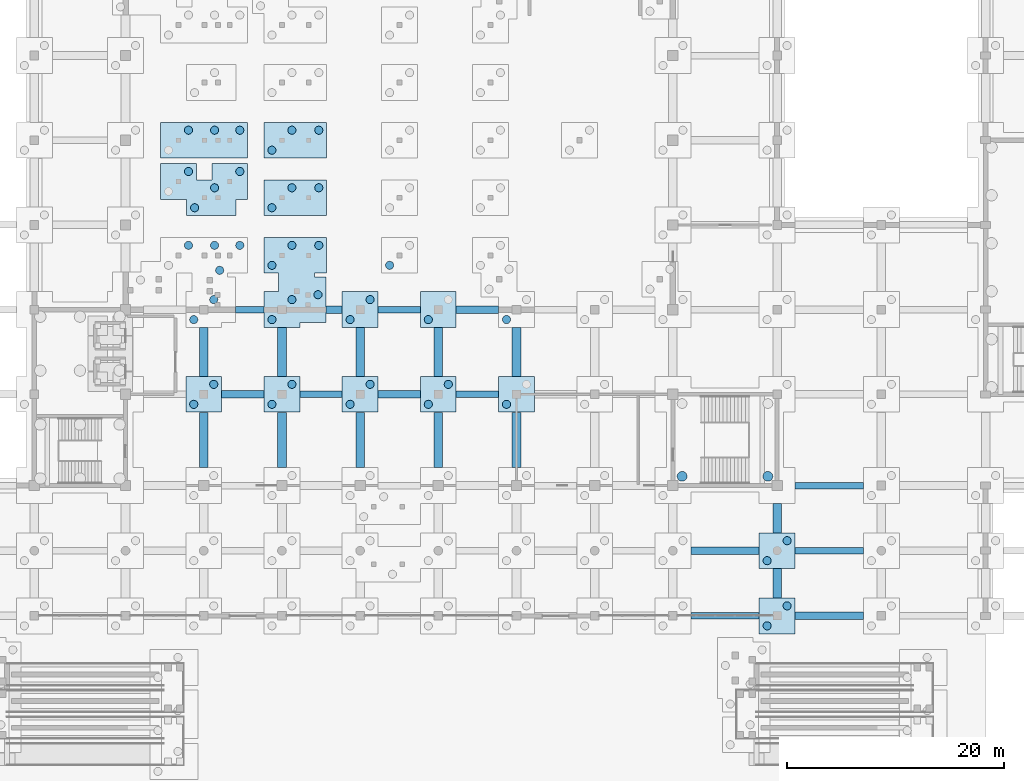
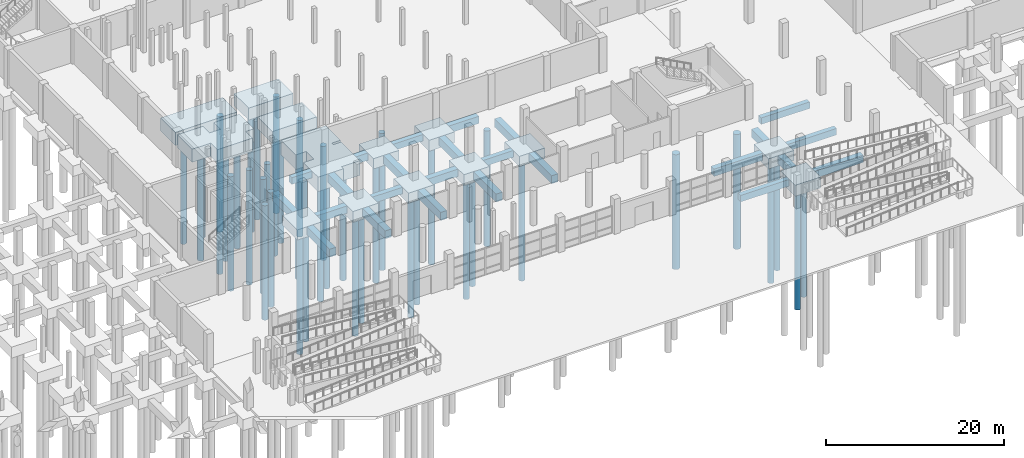
# One storey, part 6 of 42: 45 piles, 39 footings.
"""IFC4 building model written with IfcOpenShell, lengths in metres."""

from ifc_helpers import new_model, si_unit, direction, frame, origin, origin_2d, place, context, subcontext, project, spatial, polyline, rectangle, circle, outline, extrude, material, layer, layer_set, material_profile, profile_set, type_object, element, save


model = new_model("IFC4")

# Units and contexts
model_context = context("Model", 3, precision=1e-05, world=origin(), true_north=direction((0.0, 1.0)))
body_context = subcontext(model_context, "Body", "Model", "MODEL_VIEW")
ifc_project = project(units=[si_unit("LENGTHUNIT", "METRE"), si_unit("AREAUNIT", "SQUARE_METRE"), si_unit("VOLUMEUNIT", "CUBIC_METRE"), si_unit("PLANEANGLEUNIT", "RADIAN"), si_unit("MASSUNIT", "GRAM", prefix="KILO")], contexts=[model_context])

# Site, building, storey
site_placement = place(None, origin())
site = spatial("IfcSite", under=ifc_project, at=site_placement, CompositionType="ELEMENT")
building_placement = place(site_placement, origin())
building = spatial("IfcBuilding", under=site, at=building_placement, Name="Pellamere Symphony Hall", CompositionType="ELEMENT")
storey_placement = place(building_placement, frame((0.0, 0.0, -4.800048828125)))
storey = spatial("IfcBuildingStorey", under=building, at=storey_placement, Name="B1", CompositionType="ELEMENT", Elevation=-4.800048828125)

# Piles
ifc_material_1 = material(Name="Concrete 35 MPa", Category="concrete")
ifc_material_profile_1 = material_profile(ifc_material_1, circle(Radius=0.375, at=origin_2d()), Name="PILE D750")
ifc_profile_set_1 = profile_set([ifc_material_profile_1], Name="Concrete 35 MPa")
pile_type_1 = type_object("IfcPileType", Name="Bored Pile 750mm Concrete 35 MPa", PredefinedType="BORED", material=ifc_profile_set_1)
for number, where, z_axis, x_axis, name in (
    (1, (117.8798828125, 17.080078125, -1.849853515625), (0.0, 0.0, -1.0), (1.0, 0.0, 0.0), "Bored Pile BP-750-P081"),
    (2, (119.719970703125, 18.919921875, -1.849853515625), (0.0, 0.0, -1.0), (1.0, 0.0, 0.0), "Bored Pile BP-750-P082"),
):
    element("IfcPile", number, at=place(storey_placement, frame(where, z_axis=z_axis, x_axis=x_axis)), inside=storey, type_object=pile_type_1, Name=name, PredefinedType="BORED", context=body_context, shape_type="SweptSolid", body=[
        extrude(circle(Radius=0.375, at=origin_2d()), origin(), (0.0, 0.0, 1.0), 16.14990234375),
    ])
for number, where, z_axis, x_axis, name in (
    (3, (117.8798828125, 23.080078125, -1.75), (0.0, 0.0, -1.0), (1.0, 0.0, 0.0), "Bored Pile BP-750-P129"),
    (4, (119.719970703125, 24.919921875, -1.75), (0.0, 0.0, -1.0), (1.0, 0.0, 0.0), "Bored Pile BP-750-P130"),
):
    element("IfcPile", number, at=place(storey_placement, frame(where, z_axis=z_axis, x_axis=x_axis)), inside=storey, type_object=pile_type_1, Name=name, PredefinedType="BORED", context=body_context, shape_type="SweptSolid", body=[
        extrude(circle(Radius=0.375, at=origin_2d()), origin(), (0.0, 0.0, 1.0), 16.25),
    ])
for number, where, z_axis, x_axis, name in (
    (5, (65.080078125, 45.280029296875, -2.300048828125), (0.0, 0.0, -1.0), (1.0, 0.0, 0.0), "Bored Pile BP-750-P172"),
    (6, (66.919921875, 47.1201171875, -2.300048828125), (0.0, 0.0, -1.0), (1.0, 0.0, 0.0), "Bored Pile BP-750-P173"),
    (7, (64.594970703125, 52.1201171875, -2.300048828125), (0.0, 0.0, -1.0), (1.0, 0.0, 0.0), "Bored Pile BP-750-P175"),
    (8, (66.9951171875, 52.1201171875, -2.300048828125), (0.0, 0.0, -1.0), (1.0, 0.0, 0.0), "Bored Pile BP-750-P176"),
    (9, (69.320068359375, 52.1201171875, -2.300048828125), (0.0, 0.0, -1.0), (1.0, 0.0, 0.0), "Bored Pile BP-750-P177"),
    (10, (67.469970703125, 49.820068359375, -2.300048828125), (0.0, 0.0, -1.0), (1.0, 0.0, 0.0), "Bored Pile BP-750-P179"),
):
    element("IfcPile", number, at=place(storey_placement, frame(where, z_axis=z_axis, x_axis=x_axis)), inside=storey, type_object=pile_type_1, Name=name, PredefinedType="BORED", context=body_context, shape_type="SweptSolid", body=[
        extrude(circle(Radius=0.375, at=origin_2d()), origin(), (0.0, 0.0, 1.0), 15.699951171875),
    ])
for number, where, z_axis, x_axis, name in (
    (11, (65.080078125, 37.47998046875, -1.75), (0.0, 0.0, -1.0), (1.0, 0.0, 0.0), "Bored Pile BP-750-P235"),
    (12, (66.919921875, 39.320068359375, -1.75), (0.0, 0.0, -1.0), (1.0, 0.0, 0.0), "Bored Pile BP-750-P236"),
):
    element("IfcPile", number, at=place(storey_placement, frame(where, z_axis=z_axis, x_axis=x_axis)), inside=storey, type_object=pile_type_1, Name=name, PredefinedType="BORED", context=body_context, shape_type="SweptSolid", body=[
        extrude(circle(Radius=0.375, at=origin_2d()), origin(), (0.0, 0.0, 1.0), 16.25),
    ])
for number, where, z_axis, x_axis, name in (
    (13, (72.280029296875, 37.47998046875, -1.849853515625), (0.0, 0.0, -1.0), (1.0, 0.0, 0.0), "Bored Pile BP-750-P237"),
    (14, (74.1201171875, 39.320068359375, -1.849853515625), (0.0, 0.0, -1.0), (1.0, 0.0, 0.0), "Bored Pile BP-750-P238"),
):
    element("IfcPile", number, at=place(storey_placement, frame(where, z_axis=z_axis, x_axis=x_axis)), inside=storey, type_object=pile_type_1, Name=name, PredefinedType="BORED", context=body_context, shape_type="SweptSolid", body=[
        extrude(circle(Radius=0.375, at=origin_2d()), origin(), (0.0, 0.0, 1.0), 16.14990234375),
    ])
for number, where, z_axis, x_axis, name in (
    (15, (79.47998046875, 37.47998046875, -1.75), (0.0, 0.0, -1.0), (1.0, 0.0, 0.0), "Bored Pile BP-750-P239"),
    (16, (81.320068359375, 39.320068359375, -1.75), (0.0, 0.0, -1.0), (1.0, 0.0, 0.0), "Bored Pile BP-750-P240"),
):
    element("IfcPile", number, at=place(storey_placement, frame(where, z_axis=z_axis, x_axis=x_axis)), inside=storey, type_object=pile_type_1, Name=name, PredefinedType="BORED", context=body_context, shape_type="SweptSolid", body=[
        extrude(circle(Radius=0.375, at=origin_2d()), origin(), (0.0, 0.0, 1.0), 16.25),
    ])
for number, where, z_axis, x_axis, name in (
    (17, (86.679931640625, 37.47998046875, -1.849853515625), (0.0, 0.0, -1.0), (1.0, 0.0, 0.0), "Bored Pile BP-750-P241"),
    (18, (88.52001953125, 39.320068359375, -1.849853515625), (0.0, 0.0, -1.0), (1.0, 0.0, 0.0), "Bored Pile BP-750-P242"),
):
    element("IfcPile", number, at=place(storey_placement, frame(where, z_axis=z_axis, x_axis=x_axis)), inside=storey, type_object=pile_type_1, Name=name, PredefinedType="BORED", context=body_context, shape_type="SweptSolid", body=[
        extrude(circle(Radius=0.375, at=origin_2d()), origin(), (0.0, 0.0, 1.0), 16.14990234375),
    ])
pile_1_placement = place(storey_placement, frame((93.8798828125, 37.47998046875, -1.75), z_axis=(0.0, 0.0, -1.0), x_axis=(1.0, 0.0, 0.0)))
element("IfcPile", 19, at=pile_1_placement, inside=storey, type_object=pile_type_1, Name="Bored Pile BP-750-P243", PredefinedType="BORED", context=body_context, shape_type="SweptSolid", body=[
    extrude(circle(Radius=0.375, at=origin_2d()), origin(), (0.0, 0.0, 1.0), 16.25),
])
for number, where, z_axis, x_axis, name in (
    (20, (72.280029296875, 45.280029296875, -2.349853515625), (0.0, 0.0, -1.0), (1.0, 0.0, 0.0), "Bored Pile BP-750-P289"),
    (21, (74.1201171875, 47.1201171875, -2.349853515625), (0.0, 0.0, -1.0), (1.0, 0.0, 0.0), "Bored Pile BP-750-P290"),
    (22, (72.280029296875, 50.280029296875, -2.349853515625), (0.0, 0.0, -1.0), (1.0, 0.0, 0.0), "Bored Pile BP-750-P291"),
    (23, (74.1201171875, 52.1201171875, -2.349853515625), (0.0, 0.0, -1.0), (1.0, 0.0, 0.0), "Bored Pile BP-750-P292"),
    (24, (76.52001953125, 47.570068359375, -2.349853515625), (0.0, 0.0, -1.0), (1.0, 0.0, 0.0), "Bored Pile BP-750-P293"),
    (25, (76.594970703125, 52.1201171875, -2.349853515625), (0.0, 0.0, -1.0), (1.0, 0.0, 0.0), "Bored Pile BP-750-P294"),
):
    element("IfcPile", number, at=place(storey_placement, frame(where, z_axis=z_axis, x_axis=x_axis)), inside=storey, type_object=pile_type_1, Name=name, PredefinedType="BORED", context=body_context, shape_type="SweptSolid", body=[
        extrude(circle(Radius=0.375, at=origin_2d()), origin(), (0.0, 0.0, 1.0), 15.64990234375),
    ])
for number, where, z_axis, x_axis, name in (
    (26, (79.47998046875, 45.280029296875, -1.75), (0.0, 0.0, -1.0), (1.0, 0.0, 0.0), "Bored Pile BP-750-P295"),
    (27, (81.320068359375, 47.1201171875, -1.75), (0.0, 0.0, -1.0), (1.0, 0.0, 0.0), "Bored Pile BP-750-P296"),
):
    element("IfcPile", number, at=place(storey_placement, frame(where, z_axis=z_axis, x_axis=x_axis)), inside=storey, type_object=pile_type_1, Name=name, PredefinedType="BORED", context=body_context, shape_type="SweptSolid", body=[
        extrude(circle(Radius=0.375, at=origin_2d()), origin(), (0.0, 0.0, 1.0), 16.25),
    ])
pile_2_placement = place(storey_placement, frame((86.679931640625, 45.280029296875, -1.849853515625), z_axis=(0.0, 0.0, -1.0), x_axis=(1.0, 0.0, 0.0)))
element("IfcPile", 28, at=pile_2_placement, inside=storey, type_object=pile_type_1, Name="Bored Pile BP-750-P297", PredefinedType="BORED", context=body_context, shape_type="SweptSolid", body=[
    extrude(circle(Radius=0.375, at=origin_2d()), origin(), (0.0, 0.0, 1.0), 16.14990234375),
])
pile_3_placement = place(storey_placement, frame((93.8798828125, 45.280029296875, -2.14990234375), z_axis=(0.0, 0.0, -1.0), x_axis=(1.0, 0.0, 0.0)))
element("IfcPile", 29, at=pile_3_placement, inside=storey, type_object=pile_type_1, Name="Bored Pile BP-750-P299", PredefinedType="BORED", context=body_context, shape_type="SweptSolid", body=[
    extrude(circle(Radius=0.375, at=origin_2d()), origin(), (0.0, 0.0, 1.0), 15.85009765625),
])
pile_4_placement = place(storey_placement, frame((83.116943359375, 50.280029296875, -1.75), z_axis=(0.0, 0.0, -1.0), x_axis=(1.0, 0.0, 0.0)))
element("IfcPile", 30, at=pile_4_placement, inside=storey, type_object=pile_type_1, Name="Bored Pile BP-750-P317", PredefinedType="BORED", context=body_context, shape_type="SweptSolid", body=[
    extrude(circle(Radius=0.375, at=origin_2d()), origin(), (0.0, 0.0, 1.0), 16.25),
])
for number, where, z_axis, x_axis, name in (
    (31, (64.594970703125, 58.919921875, -2.14990234375), (0.0, 0.0, -1.0), (1.0, 0.0, 0.0), "Bored Pile BP-750-P346"),
    (32, (65.155029296875, 55.580078125, -2.14990234375), (0.0, 0.0, -1.0), (1.0, 0.0, 0.0), "Bored Pile BP-750-P347"),
    (33, (66.9951171875, 57.419921875, -2.14990234375), (0.0, 0.0, -1.0), (1.0, 0.0, 0.0), "Bored Pile BP-750-P348"),
    (34, (69.320068359375, 58.919921875, -2.14990234375), (0.0, 0.0, -1.0), (1.0, 0.0, 0.0), "Bored Pile BP-750-P349"),
):
    element("IfcPile", number, at=place(storey_placement, frame(where, z_axis=z_axis, x_axis=x_axis)), inside=storey, type_object=pile_type_1, Name=name, PredefinedType="BORED", context=body_context, shape_type="SweptSolid", body=[
        extrude(circle(Radius=0.375, at=origin_2d()), origin(), (0.0, 0.0, 1.0), 15.85009765625),
    ])
for number, where, z_axis, x_axis, name in (
    (35, (72.280029296875, 55.580078125, -2.0), (0.0, 0.0, -1.0), (1.0, 0.0, 0.0), "Bored Pile BP-750-P350"),
    (36, (74.1201171875, 57.419921875, -2.0), (0.0, 0.0, -1.0), (1.0, 0.0, 0.0), "Bored Pile BP-750-P351"),
    (37, (76.594970703125, 57.419921875, -2.0), (0.0, 0.0, -1.0), (1.0, 0.0, 0.0), "Bored Pile BP-750-P352"),
):
    element("IfcPile", number, at=place(storey_placement, frame(where, z_axis=z_axis, x_axis=x_axis)), inside=storey, type_object=pile_type_1, Name=name, PredefinedType="BORED", context=body_context, shape_type="SweptSolid", body=[
        extrude(circle(Radius=0.375, at=origin_2d()), origin(), (0.0, 0.0, 1.0), 16.0),
    ])
for number, where, z_axis, x_axis, name in (
    (38, (64.594970703125, 62.719970703125, -2.14990234375), (0.0, 0.0, -1.0), (1.0, 0.0, 0.0), "Bored Pile BP-750-P362"),
    (39, (66.9951171875, 62.719970703125, -2.14990234375), (0.0, 0.0, -1.0), (1.0, 0.0, 0.0), "Bored Pile BP-750-P363"),
    (40, (69.320068359375, 62.719970703125, -2.14990234375), (0.0, 0.0, -1.0), (1.0, 0.0, 0.0), "Bored Pile BP-750-P364"),
):
    element("IfcPile", number, at=place(storey_placement, frame(where, z_axis=z_axis, x_axis=x_axis)), inside=storey, type_object=pile_type_1, Name=name, PredefinedType="BORED", context=body_context, shape_type="SweptSolid", body=[
        extrude(circle(Radius=0.375, at=origin_2d()), origin(), (0.0, 0.0, 1.0), 15.85009765625),
    ])
for number, where, z_axis, x_axis, name in (
    (41, (72.280029296875, 60.8798828125, -2.0), (0.0, 0.0, -1.0), (1.0, 0.0, 0.0), "Bored Pile BP-750-P365"),
    (42, (74.1201171875, 62.719970703125, -2.0), (0.0, 0.0, -1.0), (1.0, 0.0, 0.0), "Bored Pile BP-750-P366"),
    (43, (76.594970703125, 62.719970703125, -2.0), (0.0, 0.0, -1.0), (1.0, 0.0, 0.0), "Bored Pile BP-750-P367"),
):
    element("IfcPile", number, at=place(storey_placement, frame(where, z_axis=z_axis, x_axis=x_axis)), inside=storey, type_object=pile_type_1, Name=name, PredefinedType="BORED", context=body_context, shape_type="SweptSolid", body=[
        extrude(circle(Radius=0.375, at=origin_2d()), origin(), (0.0, 0.0, 1.0), 16.0),
    ])
ifc_material_2 = material(Name="Concrete 40 MPa", Category="concrete")
ifc_material_profile_2 = material_profile(ifc_material_2, circle(Radius=0.449951171875, at=origin_2d()), Name="PILE D900")
ifc_profile_set_2 = profile_set([ifc_material_profile_2], Name="Concrete 40 MPa")
pile_type_2 = type_object("IfcPileType", Name="Bored Pile 900mm Concrete 40 MPa", PredefinedType="BORED", material=ifc_profile_set_2)
for number, where, z_axis, x_axis, name in (
    (44, (110.050048828125, 30.85009765625, -2.25), (0.0, 0.0, -1.0), (1.0, 0.0, 0.0), "Bored Pile BP-900-P188"),
    (45, (117.949951171875, 30.85009765625, -2.25), (0.0, 0.0, -1.0), (1.0, 0.0, 0.0), "Bored Pile BP-900-P189"),
):
    element("IfcPile", number, at=place(storey_placement, frame(where, z_axis=z_axis, x_axis=x_axis)), inside=storey, type_object=pile_type_2, Name=name, PredefinedType="BORED", context=body_context, shape_type="SweptSolid", body=[
        extrude(circle(Radius=0.449951171875, at=origin_2d()), origin(), (0.0, 0.0, 1.0), 15.75),
    ])

# Footings
ifc_material_profile_3 = material_profile(ifc_material_2, rectangle(XDim=0.60009765625, YDim=0.89990234375, at=origin_2d()), Name="RC 600x900")
ifc_profile_set_3 = profile_set([ifc_material_profile_3], Name="Concrete 40 MPa")
footing_type_1 = type_object("IfcFootingType", Name="Foundation FB-01 600x900", PredefinedType="FOOTING_BEAM", material=ifc_profile_set_3)
footing_1_placement = place(storey_placement, frame((110.85205078125, 18.0, -0.89990234375), z_axis=(1.0, 0.0, 0.0), x_axis=(0.0, 1.0, 0.0)))
element("IfcFooting", 46, at=footing_1_placement, inside=storey, type_object=footing_type_1, Name="Foundation Beam FB-01-080", PredefinedType="FOOTING_BEAM", context=body_context, shape_type="SweptSolid", body=[
    extrude(rectangle(XDim=0.60009765625, YDim=0.89990234375, at=origin_2d()), origin(), (0.0, 0.0, 1.0), 6.2958984375),
])
for number, where, z_axis, x_axis, name in (
    (47, (120.451904296875, 24.0, -0.89990234375), (1.0, 0.0, 0.0), (0.0, 1.0, 0.0), "Foundation Beam FB-01-098"),
    (48, (120.451904296875, 30.0, -0.89990234375), (1.0, 0.0, 0.0), (0.0, 1.0, 0.0), "Foundation Beam FB-01-114"),
):
    element("IfcFooting", number, at=place(storey_placement, frame(where, z_axis=z_axis, x_axis=x_axis)), inside=storey, type_object=footing_type_1, Name=name, PredefinedType="FOOTING_BEAM", context=body_context, shape_type="SweptSolid", body=[
        extrude(rectangle(XDim=0.60009765625, YDim=0.89990234375, at=origin_2d()), origin(), (0.0, 0.0, 1.0), 6.296142578125),
    ])
for number, where, z_axis, x_axis, name in (
    (49, (74.85205078125, 38.39990234375, -0.89990234375), (1.0, 0.0, 0.0), (0.0, 1.0, 0.0), "Foundation Beam FB-01-128"),
    (50, (89.251953125, 38.39990234375, -0.89990234375), (1.0, 0.0, 0.0), (0.0, 1.0, 0.0), "Foundation Beam FB-01-130"),
):
    element("IfcFooting", number, at=place(storey_placement, frame(where, z_axis=z_axis, x_axis=x_axis)), inside=storey, type_object=footing_type_1, Name=name, PredefinedType="FOOTING_BEAM", context=body_context, shape_type="SweptSolid", body=[
        extrude(rectangle(XDim=0.60009765625, YDim=0.89990234375, at=origin_2d()), origin(), (0.0, 0.0, 1.0), 3.89599609375),
    ])
footing_2_placement = place(storey_placement, frame((68.927001953125, 46.199951171875, -0.89990234375), z_axis=(1.0, 0.0, 0.0), x_axis=(0.0, 1.0, 0.0)))
element("IfcFooting", 51, at=footing_2_placement, inside=storey, type_object=footing_type_1, Name="Foundation Beam FB-01-144", PredefinedType="FOOTING_BEAM", context=body_context, shape_type="SweptSolid", body=[
    extrude(rectangle(XDim=0.60009765625, YDim=0.89990234375, at=origin_2d()), origin(), (0.0, 0.0, 1.0), 2.62109375),
])
footing_3_placement = place(storey_placement, frame((82.052001953125, 46.199951171875, -0.89990234375), z_axis=(1.0, 0.0, 0.0), x_axis=(0.0, 1.0, 0.0)))
element("IfcFooting", 52, at=footing_3_placement, inside=storey, type_object=footing_type_1, Name="Foundation Beam FB-01-146", PredefinedType="FOOTING_BEAM", context=body_context, shape_type="SweptSolid", body=[
    extrude(rectangle(XDim=0.60009765625, YDim=0.89990234375, at=origin_2d()), origin(), (0.0, 0.0, 1.0), 3.89599609375),
])
ifc_material_profile_4 = material_profile(ifc_material_2, rectangle(XDim=0.699951171875, YDim=1.0, at=origin_2d()), Name="RC 700x1000")
ifc_profile_set_4 = profile_set([ifc_material_profile_4], Name="Concrete 40 MPa")
footing_type_2 = type_object("IfcFootingType", Name="Foundation FB-02 700x1000", PredefinedType="FOOTING_BEAM", material=ifc_profile_set_4)
footing_4_placement = place(storey_placement, frame((120.451904296875, 18.0, -0.949951171875), z_axis=(1.0, 0.0, 0.0), x_axis=(0.0, 1.0, 0.0)))
element("IfcFooting", 53, at=footing_4_placement, inside=storey, type_object=footing_type_2, Name="Foundation Beam FB-02-081", PredefinedType="FOOTING_BEAM", context=body_context, shape_type="SweptSolid", body=[
    extrude(rectangle(XDim=0.699951171875, YDim=1.0, at=origin_2d()), origin(), (0.0, 0.0, 1.0), 6.296142578125),
])
footing_5_placement = place(storey_placement, frame((110.85205078125, 24.0, -0.949951171875), z_axis=(1.0, 0.0, 0.0), x_axis=(0.0, 1.0, 0.0)))
element("IfcFooting", 54, at=footing_5_placement, inside=storey, type_object=footing_type_2, Name="Foundation Beam FB-02-097", PredefinedType="FOOTING_BEAM", context=body_context, shape_type="SweptSolid", body=[
    extrude(rectangle(XDim=0.699951171875, YDim=1.0, at=origin_2d()), origin(), (0.0, 0.0, 1.0), 6.2958984375),
])
for number, where, z_axis, x_axis, name in (
    (55, (67.652099609375, 38.39990234375, -0.949951171875), (1.0, 0.0, 0.0), (0.0, 1.0, 0.0), "Foundation Beam FB-02-127"),
    (56, (82.052001953125, 38.39990234375, -0.949951171875), (1.0, 0.0, 0.0), (0.0, 1.0, 0.0), "Foundation Beam FB-02-129"),
):
    element("IfcFooting", number, at=place(storey_placement, frame(where, z_axis=z_axis, x_axis=x_axis)), inside=storey, type_object=footing_type_2, Name=name, PredefinedType="FOOTING_BEAM", context=body_context, shape_type="SweptSolid", body=[
        extrude(rectangle(XDim=0.699951171875, YDim=1.0, at=origin_2d()), origin(), (0.0, 0.0, 1.0), 3.89599609375),
    ])
footing_6_placement = place(storey_placement, frame((77.251953125, 46.199951171875, -0.949951171875), z_axis=(1.0, 0.0, 0.0), x_axis=(0.0, 1.0, 0.0)))
element("IfcFooting", 57, at=footing_6_placement, inside=storey, type_object=footing_type_2, Name="Foundation Beam FB-02-145", PredefinedType="FOOTING_BEAM", context=body_context, shape_type="SweptSolid", body=[
    extrude(rectangle(XDim=0.699951171875, YDim=1.0, at=origin_2d()), origin(), (0.0, 0.0, 1.0), 1.49609375),
])
footing_7_placement = place(storey_placement, frame((89.251953125, 46.199951171875, -0.949951171875), z_axis=(1.0, 0.0, 0.0), x_axis=(0.0, 1.0, 0.0)))
element("IfcFooting", 58, at=footing_7_placement, inside=storey, type_object=footing_type_2, Name="Foundation Beam FB-02-147", PredefinedType="FOOTING_BEAM", context=body_context, shape_type="SweptSolid", body=[
    extrude(rectangle(XDim=0.699951171875, YDim=1.0, at=origin_2d()), origin(), (0.0, 0.0, 1.0), 3.89599609375),
])
ifc_material_profile_5 = material_profile(ifc_material_2, rectangle(XDim=0.800048828125, YDim=1.10009765625, at=origin_2d()), Name="RC 800x1100")
ifc_profile_set_5 = profile_set([ifc_material_profile_5], Name="Concrete 40 MPa")
footing_type_3 = type_object("IfcFootingType", Name="Foundation FB-03 800x1100", PredefinedType="FOOTING_BEAM", material=ifc_profile_set_5)
footing_8_placement = place(storey_placement, frame((66.0, 31.652099609375, -1.0), z_axis=(0.0, 1.0, 0.0), x_axis=(-1.0, 0.0, 0.0)))
element("IfcFooting", 59, at=footing_8_placement, inside=storey, type_object=footing_type_3, Name="Foundation Beam FB-03-284", PredefinedType="FOOTING_BEAM", context=body_context, shape_type="SweptSolid", body=[
    extrude(rectangle(XDim=0.800048828125, YDim=1.10009765625, at=origin_2d()), origin(), (0.0, 0.0, 1.0), 5.095947265625),
])
footing_9_placement = place(storey_placement, frame((66.0, 40.052001953125, -1.0), z_axis=(0.0, 1.0, 0.0), x_axis=(-1.0, 0.0, 0.0)))
element("IfcFooting", 60, at=footing_9_placement, inside=storey, type_object=footing_type_3, Name="Foundation Beam FB-03-285", PredefinedType="FOOTING_BEAM", context=body_context, shape_type="SweptSolid", body=[
    extrude(rectangle(XDim=0.800048828125, YDim=1.10009765625, at=origin_2d()), origin(), (0.0, 0.0, 1.0), 4.49609375),
])
footing_10_placement = place(storey_placement, frame((73.199951171875, 31.652099609375, -1.0), z_axis=(0.0, 1.0, 0.0), x_axis=(-1.0, 0.0, 0.0)))
element("IfcFooting", 61, at=footing_10_placement, inside=storey, type_object=footing_type_3, Name="Foundation Beam FB-03-290", PredefinedType="FOOTING_BEAM", context=body_context, shape_type="SweptSolid", body=[
    extrude(rectangle(XDim=0.800048828125, YDim=1.10009765625, at=origin_2d()), origin(), (0.0, 0.0, 1.0), 5.095947265625),
])
footing_11_placement = place(storey_placement, frame((73.199951171875, 40.052001953125, -1.0), z_axis=(0.0, 1.0, 0.0), x_axis=(-1.0, 0.0, 0.0)))
element("IfcFooting", 62, at=footing_11_placement, inside=storey, type_object=footing_type_3, Name="Foundation Beam FB-03-291", PredefinedType="FOOTING_BEAM", context=body_context, shape_type="SweptSolid", body=[
    extrude(rectangle(XDim=0.800048828125, YDim=1.10009765625, at=origin_2d()), origin(), (0.0, 0.0, 1.0), 4.49609375),
])
footing_12_placement = place(storey_placement, frame((80.39990234375, 31.652099609375, -1.0), z_axis=(0.0, 1.0, 0.0), x_axis=(-1.0, 0.0, 0.0)))
element("IfcFooting", 63, at=footing_12_placement, inside=storey, type_object=footing_type_3, Name="Foundation Beam FB-03-296", PredefinedType="FOOTING_BEAM", context=body_context, shape_type="SweptSolid", body=[
    extrude(rectangle(XDim=0.800048828125, YDim=1.10009765625, at=origin_2d()), origin(), (0.0, 0.0, 1.0), 5.095947265625),
])
footing_13_placement = place(storey_placement, frame((80.39990234375, 40.052001953125, -1.0), z_axis=(0.0, 1.0, 0.0), x_axis=(-1.0, 0.0, 0.0)))
element("IfcFooting", 64, at=footing_13_placement, inside=storey, type_object=footing_type_3, Name="Foundation Beam FB-03-297", PredefinedType="FOOTING_BEAM", context=body_context, shape_type="SweptSolid", body=[
    extrude(rectangle(XDim=0.800048828125, YDim=1.10009765625, at=origin_2d()), origin(), (0.0, 0.0, 1.0), 4.49609375),
])
footing_14_placement = place(storey_placement, frame((87.60009765625, 31.652099609375, -1.0), z_axis=(0.0, 1.0, 0.0), x_axis=(-1.0, 0.0, 0.0)))
element("IfcFooting", 65, at=footing_14_placement, inside=storey, type_object=footing_type_3, Name="Foundation Beam FB-03-302", PredefinedType="FOOTING_BEAM", context=body_context, shape_type="SweptSolid", body=[
    extrude(rectangle(XDim=0.800048828125, YDim=1.10009765625, at=origin_2d()), origin(), (0.0, 0.0, 1.0), 5.095947265625),
])
footing_15_placement = place(storey_placement, frame((87.60009765625, 40.052001953125, -1.0), z_axis=(0.0, 1.0, 0.0), x_axis=(-1.0, 0.0, 0.0)))
element("IfcFooting", 66, at=footing_15_placement, inside=storey, type_object=footing_type_3, Name="Foundation Beam FB-03-303", PredefinedType="FOOTING_BEAM", context=body_context, shape_type="SweptSolid", body=[
    extrude(rectangle(XDim=0.800048828125, YDim=1.10009765625, at=origin_2d()), origin(), (0.0, 0.0, 1.0), 4.49609375),
])
footing_16_placement = place(storey_placement, frame((94.800048828125, 31.652099609375, -1.0), z_axis=(0.0, 1.0, 0.0), x_axis=(-1.0, 0.0, 0.0)))
element("IfcFooting", 67, at=footing_16_placement, inside=storey, type_object=footing_type_3, Name="Foundation Beam FB-03-311", PredefinedType="FOOTING_BEAM", context=body_context, shape_type="SweptSolid", body=[
    extrude(rectangle(XDim=0.800048828125, YDim=1.10009765625, at=origin_2d()), origin(), (0.0, 0.0, 1.0), 5.095947265625),
])
footing_17_placement = place(storey_placement, frame((94.800048828125, 40.052001953125, -1.0), z_axis=(0.0, 1.0, 0.0), x_axis=(-1.0, 0.0, 0.0)))
element("IfcFooting", 68, at=footing_17_placement, inside=storey, type_object=footing_type_3, Name="Foundation Beam FB-03-312", PredefinedType="FOOTING_BEAM", context=body_context, shape_type="SweptSolid", body=[
    extrude(rectangle(XDim=0.800048828125, YDim=1.10009765625, at=origin_2d()), origin(), (0.0, 0.0, 1.0), 4.49609375),
])
for number, where, z_axis, x_axis, name in (
    (69, (118.800048828125, 19.652099609375, -1.0), (0.0, 1.0, 0.0), (-1.0, 0.0, 0.0), "Foundation Beam FB-03-337"),
    (70, (118.800048828125, 25.652099609375, -1.0), (0.0, 1.0, 0.0), (-1.0, 0.0, 0.0), "Foundation Beam FB-03-338"),
):
    element("IfcFooting", number, at=place(storey_placement, frame(where, z_axis=z_axis, x_axis=x_axis)), inside=storey, type_object=footing_type_3, Name=name, PredefinedType="FOOTING_BEAM", context=body_context, shape_type="SweptSolid", body=[
        extrude(rectangle(XDim=0.800048828125, YDim=1.10009765625, at=origin_2d()), origin(), (0.0, 0.0, 1.0), 2.69580078125),
    ])
ifc_layer_1 = layer(ifc_material_2, 1.39990234375, Name="Concrete 40 MPa")
ifc_layer_set_1 = layer_set([ifc_layer_1], Name="Concrete 40 MPa")
footing_type_4 = type_object("IfcFootingType", Name="Pile Cap PC-02 3300x3300x1400", PredefinedType="PILE_CAP", material=ifc_layer_set_1)
footing_18_placement = place(storey_placement, frame((0.0, 0.0, -1.849853515625)))
element("IfcFooting", 71, at=footing_18_placement, inside=storey, type_object=footing_type_4, Name="Pile Cap PC-02-058", PredefinedType="PILE_CAP", context=body_context, shape_type="SweptSolid", body=[
    extrude(outline(polyline([(117.14990234375, 22.35009765625), (117.14990234375, 25.64990234375), (120.449951171875, 25.64990234375), (120.449951171875, 22.35009765625), (117.14990234375, 22.35009765625)])), origin(), (0.0, 0.0, 1.0), 1.39990234375),
])
footing_19_placement = place(storey_placement, frame((0.0, 0.0, -1.849853515625)))
element("IfcFooting", 72, at=footing_19_placement, inside=storey, type_object=footing_type_4, Name="Pile Cap PC-02-092", PredefinedType="PILE_CAP", context=body_context, shape_type="SweptSolid", body=[
    extrude(outline(polyline([(64.35009765625, 36.75), (64.35009765625, 40.050048828125), (67.64990234375, 40.050048828125), (67.64990234375, 36.75), (64.35009765625, 36.75)])), origin(), (0.0, 0.0, 1.0), 1.39990234375),
])
footing_20_placement = place(storey_placement, frame((0.0, 0.0, -1.849853515625)))
element("IfcFooting", 73, at=footing_20_placement, inside=storey, type_object=footing_type_4, Name="Pile Cap PC-02-094", PredefinedType="PILE_CAP", context=body_context, shape_type="SweptSolid", body=[
    extrude(outline(polyline([(78.75, 36.75), (78.75, 40.050048828125), (82.050048828125, 40.050048828125), (82.050048828125, 36.75), (78.75, 36.75)])), origin(), (0.0, 0.0, 1.0), 1.39990234375),
])
footing_21_placement = place(storey_placement, frame((0.0, 0.0, -1.849853515625)))
element("IfcFooting", 74, at=footing_21_placement, inside=storey, type_object=footing_type_4, Name="Pile Cap PC-02-096", PredefinedType="PILE_CAP", context=body_context, shape_type="SweptSolid", body=[
    extrude(outline(polyline([(96.449951171875, 36.75), (93.14990234375, 36.75), (93.14990234375, 40.050048828125), (96.449951171875, 40.050048828125), (96.449951171875, 36.75)])), origin(), (0.0, 0.0, 1.0), 1.39990234375),
])
footing_22_placement = place(storey_placement, frame((0.0, 0.0, -1.849853515625)))
element("IfcFooting", 75, at=footing_22_placement, inside=storey, type_object=footing_type_4, Name="Pile Cap PC-02-108", PredefinedType="PILE_CAP", context=body_context, shape_type="SweptSolid", body=[
    extrude(outline(polyline([(82.050048828125, 44.550048828125), (78.75, 44.550048828125), (78.75, 47.85009765625), (82.050048828125, 47.85009765625), (82.050048828125, 44.550048828125)])), origin(), (0.0, 0.0, 1.0), 1.39990234375),
])
ifc_layer_2 = layer(ifc_material_2, 1.5, Name="Concrete 40 MPa")
ifc_layer_set_2 = layer_set([ifc_layer_2], Name="Concrete 40 MPa")
footing_type_5 = type_object("IfcFootingType", Name="Pile Cap PC-03 3300x3300x1500", PredefinedType="PILE_CAP", material=ifc_layer_set_2)
footing_23_placement = place(storey_placement, frame((0.0, 0.0, -1.949951171875)))
element("IfcFooting", 76, at=footing_23_placement, inside=storey, type_object=footing_type_5, Name="Pile Cap PC-03-037", PredefinedType="PILE_CAP", context=body_context, shape_type="SweptSolid", body=[
    extrude(outline(polyline([(120.449951171875, 16.35009765625), (117.14990234375, 16.35009765625), (117.14990234375, 19.64990234375), (120.449951171875, 19.64990234375), (120.449951171875, 16.35009765625)])), origin(), (0.0, 0.0, 1.0), 1.5),
])
footing_24_placement = place(storey_placement, frame((0.0, 0.0, -1.949951171875)))
element("IfcFooting", 77, at=footing_24_placement, inside=storey, type_object=footing_type_5, Name="Pile Cap PC-03-093", PredefinedType="PILE_CAP", context=body_context, shape_type="SweptSolid", body=[
    extrude(outline(polyline([(74.85009765625, 36.75), (71.550048828125, 36.75), (71.550048828125, 40.050048828125), (74.85009765625, 40.050048828125), (74.85009765625, 36.75)])), origin(), (0.0, 0.0, 1.0), 1.5),
])
footing_25_placement = place(storey_placement, frame((0.0, 0.0, -1.949951171875)))
element("IfcFooting", 78, at=footing_25_placement, inside=storey, type_object=footing_type_5, Name="Pile Cap PC-03-095", PredefinedType="PILE_CAP", context=body_context, shape_type="SweptSolid", body=[
    extrude(outline(polyline([(89.25, 36.75), (85.949951171875, 36.75), (85.949951171875, 40.050048828125), (89.25, 40.050048828125), (89.25, 36.75)])), origin(), (0.0, 0.0, 1.0), 1.5),
])
footing_26_placement = place(storey_placement, frame((0.0, 0.0, -1.949951171875)))
element("IfcFooting", 79, at=footing_26_placement, inside=storey, type_object=footing_type_5, Name="Pile Cap PC-03-109", PredefinedType="PILE_CAP", context=body_context, shape_type="SweptSolid", body=[
    extrude(outline(polyline([(85.949951171875, 44.550048828125), (85.949951171875, 47.85009765625), (89.25, 47.85009765625), (89.25, 44.550048828125), (85.949951171875, 44.550048828125)])), origin(), (0.0, 0.0, 1.0), 1.5),
])
ifc_layer_3 = layer(ifc_material_2, 1.64990234375, Name="Concrete 40 MPa")
ifc_layer_set_3 = layer_set([ifc_layer_3], Name="Concrete 40 MPa")
footing_type_6 = type_object("IfcFootingType", Name="Pile Cap PC-05 4400x3300x1650", PredefinedType="PILE_CAP", material=ifc_layer_set_3)
footing_27_placement = place(storey_placement, frame((0.0, 0.0, -2.099853515625)))
element("IfcFooting", 80, at=footing_27_placement, inside=storey, type_object=footing_type_6, Name="Pile Cap PC-05-131", PredefinedType="PILE_CAP", context=body_context, shape_type="SweptSolid", body=[
    extrude(outline(polyline([(71.550048828125, 58.14990234375), (77.324951171875, 58.14990234375), (77.324951171875, 54.85009765625), (71.550048828125, 54.85009765625), (71.550048828125, 58.14990234375)])), origin(), (0.0, 0.0, 1.0), 1.64990234375),
])
footing_28_placement = place(storey_placement, frame((0.0, 0.0, -2.099853515625)))
element("IfcFooting", 81, at=footing_28_placement, inside=storey, type_object=footing_type_6, Name="Pile Cap PC-05-137", PredefinedType="PILE_CAP", context=body_context, shape_type="SweptSolid", body=[
    extrude(outline(polyline([(71.550048828125, 60.14990234375), (71.550048828125, 63.449951171875), (77.324951171875, 63.449951171875), (77.324951171875, 60.14990234375), (71.550048828125, 60.14990234375)])), origin(), (0.0, 0.0, 1.0), 1.64990234375),
])
ifc_layer_4 = layer(ifc_material_2, 1.800048828125, Name="Concrete 40 MPa")
ifc_layer_set_4 = layer_set([ifc_layer_4], Name="Concrete 40 MPa")
footing_type_7 = type_object("IfcFootingType", Name="Pile Cap PC-07 4850x6850x1800", PredefinedType="PILE_CAP", material=ifc_layer_set_4)
footing_29_placement = place(storey_placement, frame((0.0, 0.0, -2.25)))
element("IfcFooting", 82, at=footing_29_placement, inside=storey, type_object=footing_type_7, Name="Pile Cap PC-07-130", PredefinedType="PILE_CAP", context=body_context, shape_type="SweptSolid", body=[
    extrude(outline(polyline([(66.75, 58.14990234375), (66.75, 59.64990234375), (70.050048828125, 59.64990234375), (70.050048828125, 56.35009765625), (68.9619140625, 56.35009765625), (68.9619140625, 54.85009765625), (64.425048828125, 54.85009765625), (64.425048828125, 56.35009765625), (62.02490234375, 56.35009765625), (62.02490234375, 59.64990234375), (65.324951171875, 59.64990234375), (65.324951171875, 58.14990234375), (66.75, 58.14990234375)])), origin(), (0.0, 0.0, 1.0), 1.800048828125),
])
footing_30_placement = place(storey_placement, frame((0.0, 0.0, -2.25)))
element("IfcFooting", 83, at=footing_30_placement, inside=storey, type_object=footing_type_7, Name="Pile Cap PC-07-136", PredefinedType="PILE_CAP", context=body_context, shape_type="SweptSolid", body=[
    extrude(outline(polyline([(70.050048828125, 60.14990234375), (62.02490234375, 60.14990234375), (62.02490234375, 63.449951171875), (70.050048828125, 63.449951171875), (70.050048828125, 60.14990234375)])), origin(), (0.0, 0.0, 1.0), 1.800048828125),
])
ifc_material_3 = material(Name="Concrete 50 MPa", Category="concrete")
ifc_layer_5 = layer(ifc_material_3, 2.0, Name="Concrete 50 MPa")
ifc_layer_set_5 = layer_set([ifc_layer_5], Name="Concrete 50 MPa")
footing_type_8 = type_object("IfcFootingType", Name="Pile Cap PC-10 5500x12300x2000", PredefinedType="PILE_CAP", material=ifc_layer_set_5)
footing_31_placement = place(storey_placement, frame((0.0, 0.0, -2.449951171875)))
element("IfcFooting", 84, at=footing_31_placement, inside=storey, type_object=footing_type_8, Name="Pile Cap PC-10-107", PredefinedType="PILE_CAP", context=body_context, shape_type="SweptSolid", body=[
    extrude(outline(polyline([(71.550048828125, 49.550048828125), (71.550048828125, 52.85009765625), (77.324951171875, 52.85009765625), (77.324951171875, 49.550048828125), (76.199951171875, 49.550048828125), (76.199951171875, 49.199951171875), (77.25, 49.199951171875), (77.25, 45.0), (74.85009765625, 45.0), (74.85009765625, 44.550048828125), (71.550048828125, 44.550048828125), (71.550048828125, 47.85009765625), (72.89990234375, 47.85009765625), (72.89990234375, 49.550048828125), (71.550048828125, 49.550048828125)])), origin(), (0.0, 0.0, 1.0), 2.0),
])

save(model, "model.ifc")
